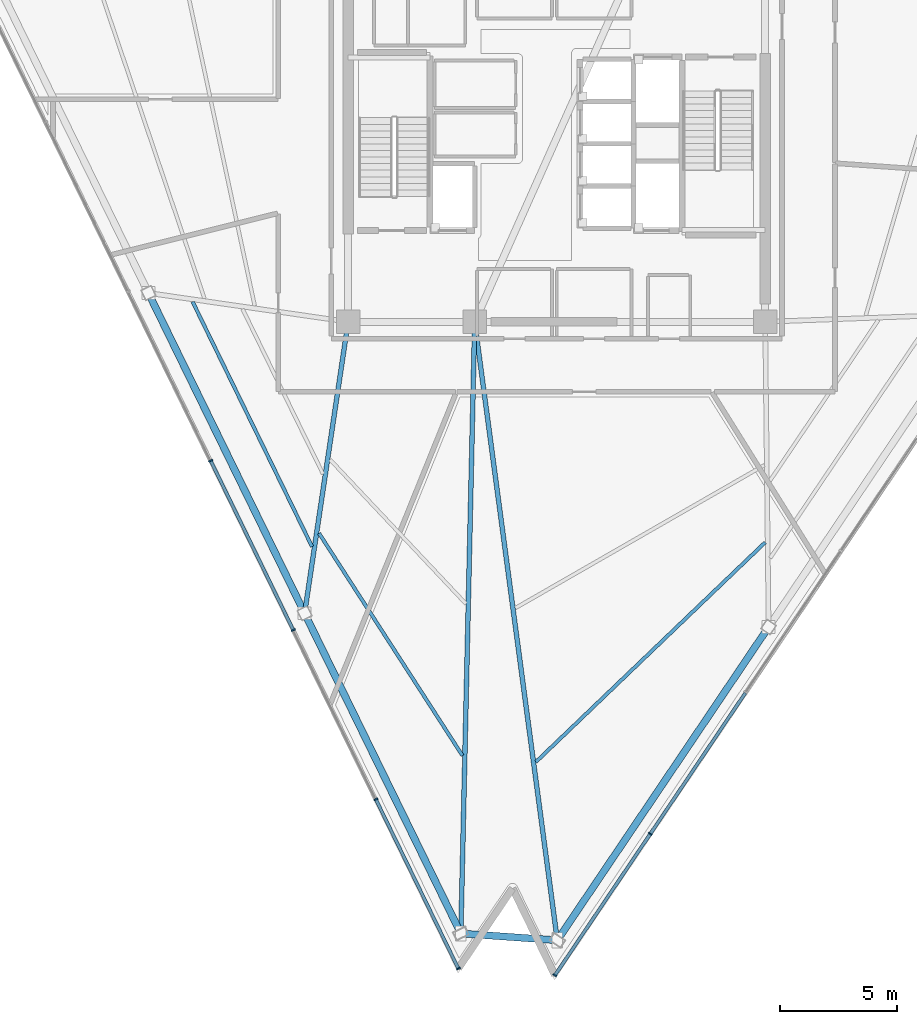
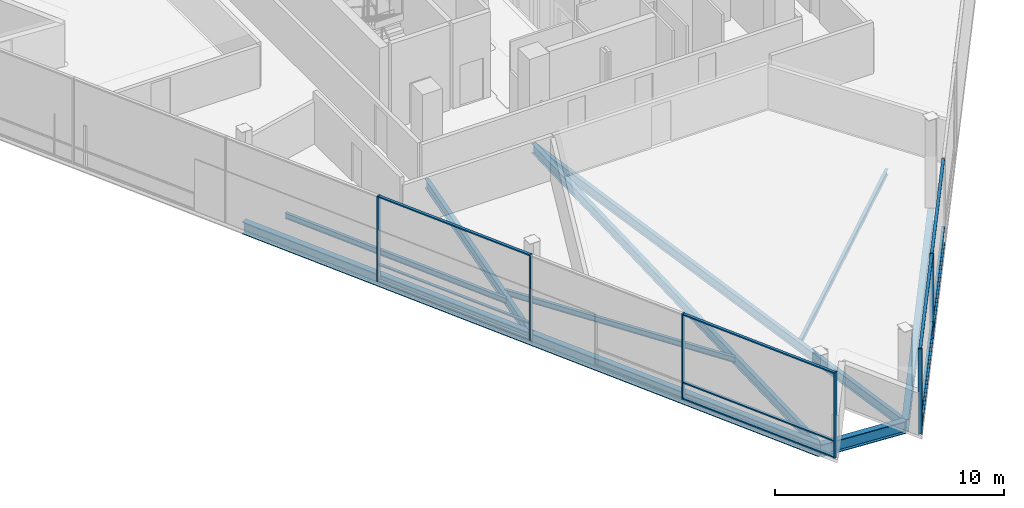
# One storey, part 2 of 13: 18 members, 10 beams, 2 elements without a shape of their own.
"""IFC4 building model written with IfcOpenShell, lengths in metres."""

from ifc_helpers import new_model, si_unit, direction, frame, origin, origin_2d, place, context, subcontext, project, spatial, rectangle, i_section, extrude, material, layer, layer_set, material_profile, profile_set, type_object, element, aggregate, save


model = new_model("IFC4")

# Units and contexts
model_context = context("Model", 3, precision=1e-05, world=origin(), true_north=direction((0.0, 1.0)))
body_context = subcontext(model_context, "Body", "Model", "MODEL_VIEW")
ifc_project = project(units=[si_unit("LENGTHUNIT", "METRE"), si_unit("AREAUNIT", "SQUARE_METRE"), si_unit("VOLUMEUNIT", "CUBIC_METRE"), si_unit("PLANEANGLEUNIT", "RADIAN"), si_unit("MASSUNIT", "GRAM", prefix="KILO")], contexts=[model_context])

# Site, building, storey
site_placement = place(None, origin())
site = spatial("IfcSite", under=ifc_project, at=site_placement, CompositionType="ELEMENT")
building_placement = place(site_placement, origin())
building = spatial("IfcBuilding", under=site, at=building_placement, Name="Tharavind Bronze Gate", CompositionType="ELEMENT")
storey_placement = place(building_placement, frame((0.0, 0.0, 248.64990234375)))
storey = spatial("IfcBuildingStorey", under=building, at=storey_placement, Name="L64", CompositionType="ELEMENT", Elevation=248.64990234375)

# Curtain wall, members
ifc_material_1 = material(Name="Anodised Bronze Aluminium", Category="aluminium")
ifc_layer = layer(ifc_material_1, 0.219970703125)
ifc_layer_set = layer_set([ifc_layer], Name="Anodised Bronze Aluminium")
curtain_wall_type = type_object("IfcCurtainWallType", Name="UNITISED CURTAIN WALL UPPER OFFICE", PredefinedType="USERDEFINED", material=ifc_layer_set)
curtain_wall_1_placement = place(storey_placement, origin())
curtain_wall_1 = element("IfcCurtainWall", 1, at=curtain_wall_1_placement, inside=storey, type_object=curtain_wall_type, Name="L64 unitised curtain wall upper office CW-L64-S1", ObjectType="UNITISED CURTAIN WALL", PredefinedType="USERDEFINED")
member_type_1 = type_object("IfcMemberType", Name="CURTAIN WALL BRONZE MULLION 65X180", PredefinedType="MULLION", material=ifc_material_1)
member_1_placement = place(storey_placement, frame((-14.76611328125, -13.532958984375, 0.0), z_axis=(0.0, 0.0, 1.0), x_axis=(0.438371146789, -0.898794046299, 0.0)))
member_1 = element("IfcMember", 2, at=member_1_placement, type_object=member_type_1, Name="CW-L64-S1 mullion 4", PredefinedType="MULLION", context=body_context, shape_type="SweptSolid", body=[
    extrude(rectangle(XDim=0.06494140625, YDim=0.179931640625, at=origin_2d()), origin(), (0.0, 0.0, 1.0), 4.56005859375),
])
member_2_placement = place(storey_placement, frame((-11.24267578125, -20.75732421875, 0.0), z_axis=(0.0, 0.0, 1.0), x_axis=(0.438371146789, -0.898794046299, 0.0)))
member_2 = element("IfcMember", 3, at=member_2_placement, type_object=member_type_1, Name="CW-L64-S1 mullion 5", PredefinedType="MULLION", context=body_context, shape_type="SweptSolid", body=[
    extrude(rectangle(XDim=0.06494140625, YDim=0.179931640625, at=origin_2d()), origin(), (0.0, 0.0, 1.0), 4.56005859375),
])
member_3_placement = place(storey_placement, frame((-7.718994140625, -27.98193359375, 0.0), z_axis=(0.0, 0.0, 1.0), x_axis=(0.438371146789, -0.898794046299, 0.0)))
member_3 = element("IfcMember", 4, at=member_3_placement, type_object=member_type_1, Name="CW-L64-S1 mullion 6", PredefinedType="MULLION", context=body_context, shape_type="SweptSolid", body=[
    extrude(rectangle(XDim=0.06494140625, YDim=0.179931640625, at=origin_2d()), origin(), (0.0, 0.0, 1.0), 4.56005859375),
])
member_4_placement = place(storey_placement, frame((-4.1953125, -35.20654296875, 0.0), z_axis=(0.0, 0.0, 1.0), x_axis=(0.438371146789, -0.898794046299, 0.0)))
member_4 = element("IfcMember", 5, at=member_4_placement, type_object=member_type_1, Name="CW-L64-S1 mullion 7", PredefinedType="MULLION", context=body_context, shape_type="SweptSolid", body=[
    extrude(rectangle(XDim=0.06494140625, YDim=0.179931640625, at=origin_2d()), origin(), (0.0, 0.0, 1.0), 4.56005859375),
])

curtain_wall_2_placement = place(storey_placement, origin())
curtain_wall_2 = element("IfcCurtainWall", 6, at=curtain_wall_2_placement, inside=storey, type_object=curtain_wall_type, Name="L64 unitised curtain wall upper office CW-L64-S2", ObjectType="UNITISED CURTAIN WALL", PredefinedType="USERDEFINED")
member_5_placement = place(storey_placement, frame((-0.077392578125, -35.494384765625, 0.0), z_axis=(0.0, 0.0, 1.0), x_axis=(0.559192903471, 0.829037572555, 0.0)))
member_5 = element("IfcMember", 7, at=member_5_placement, type_object=member_type_1, Name="CW-L64-S2 mullion 1", PredefinedType="MULLION", context=body_context, shape_type="SweptSolid", body=[
    extrude(rectangle(XDim=0.06494140625, YDim=0.179931640625, at=origin_2d()), origin(), (0.0, 0.0, 1.0), 4.56005859375),
])
member_6_placement = place(storey_placement, frame((3.9951171875, -29.45654296875, 0.0), z_axis=(0.0, 0.0, 1.0), x_axis=(0.559192903471, 0.829037572555, 0.0)))
member_6 = element("IfcMember", 8, at=member_6_placement, type_object=member_type_1, Name="CW-L64-S2 mullion 2", PredefinedType="MULLION", context=body_context, shape_type="SweptSolid", body=[
    extrude(rectangle(XDim=0.06494140625, YDim=0.179931640625, at=origin_2d()), origin(), (0.0, 0.0, 1.0), 4.56005859375),
])

# Member
member_type_2 = type_object("IfcMemberType", Name="CURTAIN WALL BRONZE TRANSOM 65X140", PredefinedType="USERDEFINED", material=ifc_material_1)
member_7_placement = place(storey_placement, frame((-13.00439453125, -17.145263671875, 0.000244140625), z_axis=(0.0, 0.0, 1.0), x_axis=(0.438371146789, -0.898794046299, 0.0)))
member_7 = element("IfcMember", 9, at=member_7_placement, type_object=member_type_2, Name="CW-L64-S1 transom TB4", ObjectType="TRANSOM", PredefinedType="USERDEFINED", context=body_context, shape_type="SweptSolid", body=[
    extrude(rectangle(XDim=7.985107421875, YDim=0.139892578125, at=origin_2d()), origin(), (0.0, 0.0, 1.0), 0.06494140625),
])

member_8_placement = place(storey_placement, frame((-13.00439453125, -17.145263671875, 0.86767578125), z_axis=(0.0, 0.0, 1.0), x_axis=(0.438371146789, -0.898794046299, 0.0)))
member_8 = element("IfcMember", 10, at=member_8_placement, type_object=member_type_2, Name="CW-L64-S1 transom TS4", ObjectType="TRANSOM", PredefinedType="USERDEFINED", context=body_context, shape_type="SweptSolid", body=[
    extrude(rectangle(XDim=7.985107421875, YDim=0.139892578125, at=origin_2d()), origin(), (0.0, 0.0, 1.0), 0.06494140625),
])

member_9_placement = place(storey_placement, frame((-13.00439453125, -17.145263671875, 4.4951171875), z_axis=(0.0, 0.0, 1.0), x_axis=(0.438371146789, -0.898794046299, 0.0)))
member_9 = element("IfcMember", 11, at=member_9_placement, type_object=member_type_2, Name="CW-L64-S1 transom TT4", ObjectType="TRANSOM", PredefinedType="USERDEFINED", context=body_context, shape_type="SweptSolid", body=[
    extrude(rectangle(XDim=7.985107421875, YDim=0.139892578125, at=origin_2d()), origin(), (0.0, 0.0, 1.0), 0.06494140625),
])

member_10_placement = place(storey_placement, frame((-5.95703125, -31.59423828125, 0.000244140625), z_axis=(0.0, 0.0, 1.0), x_axis=(0.438371146789, -0.898794046299, 0.0)))
member_10 = element("IfcMember", 12, at=member_10_placement, type_object=member_type_2, Name="CW-L64-S1 transom TB6", ObjectType="TRANSOM", PredefinedType="USERDEFINED", context=body_context, shape_type="SweptSolid", body=[
    extrude(rectangle(XDim=7.985107421875, YDim=0.139892578125, at=origin_2d()), origin(), (0.0, 0.0, 1.0), 0.06494140625),
])

member_11_placement = place(storey_placement, frame((-5.95703125, -31.59423828125, 0.86767578125), z_axis=(0.0, 0.0, 1.0), x_axis=(0.438371146789, -0.898794046299, 0.0)))
member_11 = element("IfcMember", 13, at=member_11_placement, type_object=member_type_2, Name="CW-L64-S1 transom TS6", ObjectType="TRANSOM", PredefinedType="USERDEFINED", context=body_context, shape_type="SweptSolid", body=[
    extrude(rectangle(XDim=7.985107421875, YDim=0.139892578125, at=origin_2d()), origin(), (0.0, 0.0, 1.0), 0.06494140625),
])

member_12_placement = place(storey_placement, frame((-5.95703125, -31.59423828125, 4.4951171875), z_axis=(0.0, 0.0, 1.0), x_axis=(0.438371146789, -0.898794046299, 0.0)))
member_12 = element("IfcMember", 14, at=member_12_placement, type_object=member_type_2, Name="CW-L64-S1 transom TT6", ObjectType="TRANSOM", PredefinedType="USERDEFINED", context=body_context, shape_type="SweptSolid", body=[
    extrude(rectangle(XDim=7.985107421875, YDim=0.139892578125, at=origin_2d()), origin(), (0.0, 0.0, 1.0), 0.06494140625),
])

aggregate(curtain_wall_1, [member_1, member_2, member_3, member_4, member_7, member_8, member_9, member_10, member_11, member_12])

member_13_placement = place(storey_placement, frame((1.958984375, -32.4755859375, 0.000244140625), z_axis=(0.0, 0.0, 1.0), x_axis=(0.559192903471, 0.829037572555, 0.0)))
member_13 = element("IfcMember", 15, at=member_13_placement, type_object=member_type_2, Name="CW-L64-S2 transom TB1", ObjectType="TRANSOM", PredefinedType="USERDEFINED", context=body_context, shape_type="SweptSolid", body=[
    extrude(rectangle(XDim=7.22998046875, YDim=0.139892578125, at=origin_2d()), origin(), (0.0, 0.0, 1.0), 0.06494140625),
])

member_14_placement = place(storey_placement, frame((1.958984375, -32.4755859375, 0.86767578125), z_axis=(0.0, 0.0, 1.0), x_axis=(0.559192903471, 0.829037572555, 0.0)))
member_14 = element("IfcMember", 16, at=member_14_placement, type_object=member_type_2, Name="CW-L64-S2 transom TS1", ObjectType="TRANSOM", PredefinedType="USERDEFINED", context=body_context, shape_type="SweptSolid", body=[
    extrude(rectangle(XDim=7.22998046875, YDim=0.139892578125, at=origin_2d()), origin(), (0.0, 0.0, 1.0), 0.06494140625),
])

member_15_placement = place(storey_placement, frame((1.958984375, -32.4755859375, 4.4951171875), z_axis=(0.0, 0.0, 1.0), x_axis=(0.559192903471, 0.829037572555, 0.0)))
member_15 = element("IfcMember", 17, at=member_15_placement, type_object=member_type_2, Name="CW-L64-S2 transom TT1", ObjectType="TRANSOM", PredefinedType="USERDEFINED", context=body_context, shape_type="SweptSolid", body=[
    extrude(rectangle(XDim=7.22998046875, YDim=0.139892578125, at=origin_2d()), origin(), (0.0, 0.0, 1.0), 0.06494140625),
])

member_16_placement = place(storey_placement, frame((6.031494140625, -26.437744140625, 0.000244140625), z_axis=(0.0, 0.0, 1.0), x_axis=(0.559192903471, 0.829037572555, 0.0)))
member_16 = element("IfcMember", 18, at=member_16_placement, type_object=member_type_2, Name="CW-L64-S2 transom TB2", ObjectType="TRANSOM", PredefinedType="USERDEFINED", context=body_context, shape_type="SweptSolid", body=[
    extrude(rectangle(XDim=7.22998046875, YDim=0.139892578125, at=origin_2d()), origin(), (0.0, 0.0, 1.0), 0.06494140625),
])

member_17_placement = place(storey_placement, frame((6.031494140625, -26.437744140625, 0.86767578125), z_axis=(0.0, 0.0, 1.0), x_axis=(0.559192903471, 0.829037572555, 0.0)))
member_17 = element("IfcMember", 19, at=member_17_placement, type_object=member_type_2, Name="CW-L64-S2 transom TS2", ObjectType="TRANSOM", PredefinedType="USERDEFINED", context=body_context, shape_type="SweptSolid", body=[
    extrude(rectangle(XDim=7.22998046875, YDim=0.139892578125, at=origin_2d()), origin(), (0.0, 0.0, 1.0), 0.06494140625),
])

member_18_placement = place(storey_placement, frame((6.031494140625, -26.437744140625, 4.4951171875), z_axis=(0.0, 0.0, 1.0), x_axis=(0.559192903471, 0.829037572555, 0.0)))
member_18 = element("IfcMember", 20, at=member_18_placement, type_object=member_type_2, Name="CW-L64-S2 transom TT2", ObjectType="TRANSOM", PredefinedType="USERDEFINED", context=body_context, shape_type="SweptSolid", body=[
    extrude(rectangle(XDim=7.22998046875, YDim=0.139892578125, at=origin_2d()), origin(), (0.0, 0.0, 1.0), 0.06494140625),
])

aggregate(curtain_wall_2, [member_5, member_6, member_13, member_14, member_15, member_16, member_17, member_18])

# Beams
ifc_material_2 = material(Name="Steel S355", Category="steel")
ifc_material_profile_1 = material_profile(ifc_material_2, i_section(OverallWidth=0.300048828125, OverallDepth=0.64990234375, WebThickness=0.01611328125, FlangeThickness=0.031005859375, at=origin_2d()), Name="HE650B")
ifc_profile_set_1 = profile_set([ifc_material_profile_1], Name="Steel S355")
beam_type_1 = type_object("IfcBeamType", Name="PRIMARY GIRDER HE650B", PredefinedType="USERDEFINED", material=ifc_profile_set_1)
beam_1_placement = place(storey_placement, frame((-17.42578125, -6.368896484375, -0.5048828125), z_axis=(0.438369868708, -0.89879466966, 0.0), x_axis=(0.89879466966, 0.438369868708, 0.0)))
element("IfcBeam", 21, at=beam_1_placement, inside=storey, type_object=beam_type_1, Name="L64 primary girder he650b BM-L64-PRG02", ObjectType="GIRDER", PredefinedType="USERDEFINED", context=body_context, shape_type="SweptSolid", body=[
    extrude(i_section(OverallWidth=0.300048828125, OverallDepth=0.64990234375, WebThickness=0.01611328125, FlangeThickness=0.031005859375, at=origin_2d()), origin(), (0.0, 0.0, 1.0), 15.209716796875),
])
beam_2_placement = place(storey_placement, frame((-10.75830078125, -20.039306640625, -0.5048828125), z_axis=(0.438370186885, -0.898794514475, 0.0), x_axis=(0.898794514475, 0.438370186885, 0.0)))
element("IfcBeam", 22, at=beam_2_placement, inside=storey, type_object=beam_type_1, Name="L64 primary girder he650b BM-L64-PRG03", ObjectType="GIRDER", PredefinedType="USERDEFINED", context=body_context, shape_type="SweptSolid", body=[
    extrude(i_section(OverallWidth=0.300048828125, OverallDepth=0.64990234375, WebThickness=0.01611328125, FlangeThickness=0.031005859375, at=origin_2d()), origin(), (0.0, 0.0, 1.0), 15.210205078125),
])
beam_3_placement = place(storey_placement, frame((-4.090576171875, -33.710205078125, -0.5048828125), z_axis=(0.99756592469, -0.069729662964, 0.0), x_axis=(0.069729662964, 0.99756592469, 0.0)))
element("IfcBeam", 23, at=beam_3_placement, inside=storey, type_object=beam_type_1, Name="L64 primary girder he650b BM-L64-PRG04", ObjectType="GIRDER", PredefinedType="USERDEFINED", context=body_context, shape_type="SweptSolid", body=[
    extrude(i_section(OverallWidth=0.300048828125, OverallDepth=0.64990234375, WebThickness=0.01611328125, FlangeThickness=0.031005859375, at=origin_2d()), origin(), (0.0, 0.0, 1.0), 4.1279296875),
])
beam_4_placement = place(storey_placement, frame((0.02734375, -33.998046875, -0.5048828125), z_axis=(0.559188128577, 0.829040793241, 0.0), x_axis=(-0.829040793241, 0.559188128577, 0.0)))
element("IfcBeam", 24, at=beam_4_placement, inside=storey, type_object=beam_type_1, Name="L64 primary girder he650b BM-L64-PRG05", ObjectType="GIRDER", PredefinedType="USERDEFINED", context=body_context, shape_type="SweptSolid", body=[
    extrude(i_section(OverallWidth=0.300048828125, OverallDepth=0.64990234375, WebThickness=0.01611328125, FlangeThickness=0.031005859375, at=origin_2d()), origin(), (0.0, 0.0, 1.0), 16.12744140625),
])
ifc_material_profile_2 = material_profile(ifc_material_2, i_section(OverallWidth=0.199951171875, OverallDepth=0.5, WebThickness=0.01025390625, FlangeThickness=0.01611328125, at=origin_2d()), Name="IPE500")
ifc_profile_set_2 = profile_set([ifc_material_profile_2], Name="Steel S355")
beam_type_2 = type_object("IfcBeamType", Name="PRIMARY GIRDER IPE500", PredefinedType="USERDEFINED", material=ifc_profile_set_2)
beam_5_placement = place(storey_placement, frame((-10.75830078125, -20.039306640625, -0.429931640625), z_axis=(0.147758563849, 0.989023461203, 0.0), x_axis=(-0.989023461203, 0.147758563849, 0.0)))
element("IfcBeam", 25, at=beam_5_placement, inside=storey, type_object=beam_type_2, Name="L64 primary girder ipe500 BM-L64-RAD03", ObjectType="GIRDER", PredefinedType="USERDEFINED", context=body_context, shape_type="SweptSolid", body=[
    extrude(i_section(OverallWidth=0.199951171875, OverallDepth=0.5, WebThickness=0.01025390625, FlangeThickness=0.01611328125, at=origin_2d()), origin(), (0.0, 0.0, 1.0), 12.5771484375),
])
beam_6_placement = place(storey_placement, frame((-4.090576171875, -33.710205078125, -0.429931640625), z_axis=(0.022612896588, 0.999744295762, 0.0), x_axis=(-0.999744295762, 0.022612896588, 0.0)))
element("IfcBeam", 26, at=beam_6_placement, inside=storey, type_object=beam_type_2, Name="L64 primary girder ipe500 BM-L64-RAD04", ObjectType="GIRDER", PredefinedType="USERDEFINED", context=body_context, shape_type="SweptSolid", body=[
    extrude(i_section(OverallWidth=0.199951171875, OverallDepth=0.5, WebThickness=0.01025390625, FlangeThickness=0.01611328125, at=origin_2d()), origin(), (0.0, 0.0, 1.0), 26.11669921875),
])
beam_7_placement = place(storey_placement, frame((0.02734375, -33.998046875, -0.429931640625), z_axis=(-0.132444729181, 0.991190392262, 0.0), x_axis=(-0.991190392262, -0.132444729181, 0.0)))
element("IfcBeam", 27, at=beam_7_placement, inside=storey, type_object=beam_type_2, Name="L64 primary girder ipe500 BM-L64-RAD05", ObjectType="GIRDER", PredefinedType="USERDEFINED", context=body_context, shape_type="SweptSolid", body=[
    extrude(i_section(OverallWidth=0.199951171875, OverallDepth=0.5, WebThickness=0.01025390625, FlangeThickness=0.01611328125, at=origin_2d()), origin(), (0.0, 0.0, 1.0), 26.632568359375),
])
ifc_material_profile_3 = material_profile(ifc_material_2, i_section(OverallWidth=0.14990234375, OverallDepth=0.300048828125, WebThickness=0.007080078125, FlangeThickness=0.0107421875, at=origin_2d()), Name="IPE300")
ifc_profile_set_3 = profile_set([ifc_material_profile_3], Name="Steel S355")
beam_type_3 = type_object("IfcBeamType", Name="SECONDARY FLOOR JOIST IPE300", PredefinedType="JOIST", material=ifc_profile_set_3)
beam_8_placement = place(storey_placement, frame((-15.5380859375, -6.745849609375, -0.329833984375), z_axis=(0.438386835701, -0.898786394136, 0.0), x_axis=(0.898786394136, 0.438386835701, 0.0)))
element("IfcBeam", 28, at=beam_8_placement, inside=storey, type_object=beam_type_3, Name="L64 secondary floor joist ipe300 BM-L64-JSTB02", PredefinedType="JOIST", context=body_context, shape_type="SweptSolid", body=[
    extrude(i_section(OverallWidth=0.14990234375, OverallDepth=0.300048828125, WebThickness=0.007080078125, FlangeThickness=0.0107421875, at=origin_2d()), origin(), (0.0, 0.0, 1.0), 11.63427734375),
])
beam_9_placement = place(storey_placement, frame((-10.144287109375, -16.624755859375, -0.329833984375), z_axis=(0.54214213251, -0.840286801132, 0.0), x_axis=(0.840286801132, 0.54214213251, 0.0)))
element("IfcBeam", 29, at=beam_9_placement, inside=storey, type_object=beam_type_3, Name="L64 secondary floor joist ipe300 BM-L64-JSTB03", PredefinedType="JOIST", context=body_context, shape_type="SweptSolid", body=[
    extrude(i_section(OverallWidth=0.14990234375, OverallDepth=0.300048828125, WebThickness=0.007080078125, FlangeThickness=0.0107421875, at=origin_2d()), origin(), (0.0, 0.0, 1.0), 11.294677734375),
])
beam_10_placement = place(storey_placement, frame((-0.885498046875, -26.385986328125, -0.329833984375), z_axis=(0.722227015717, 0.691656083446, 0.0), x_axis=(-0.691656083446, 0.722227015717, 0.0)))
element("IfcBeam", 30, at=beam_10_placement, inside=storey, type_object=beam_type_3, Name="L64 secondary floor joist ipe300 BM-L64-JSTB05", PredefinedType="JOIST", context=body_context, shape_type="SweptSolid", body=[
    extrude(i_section(OverallWidth=0.14990234375, OverallDepth=0.300048828125, WebThickness=0.007080078125, FlangeThickness=0.0107421875, at=origin_2d()), origin(), (0.0, 0.0, 1.0), 13.55224609375),
])

save(model, "model.ifc")
